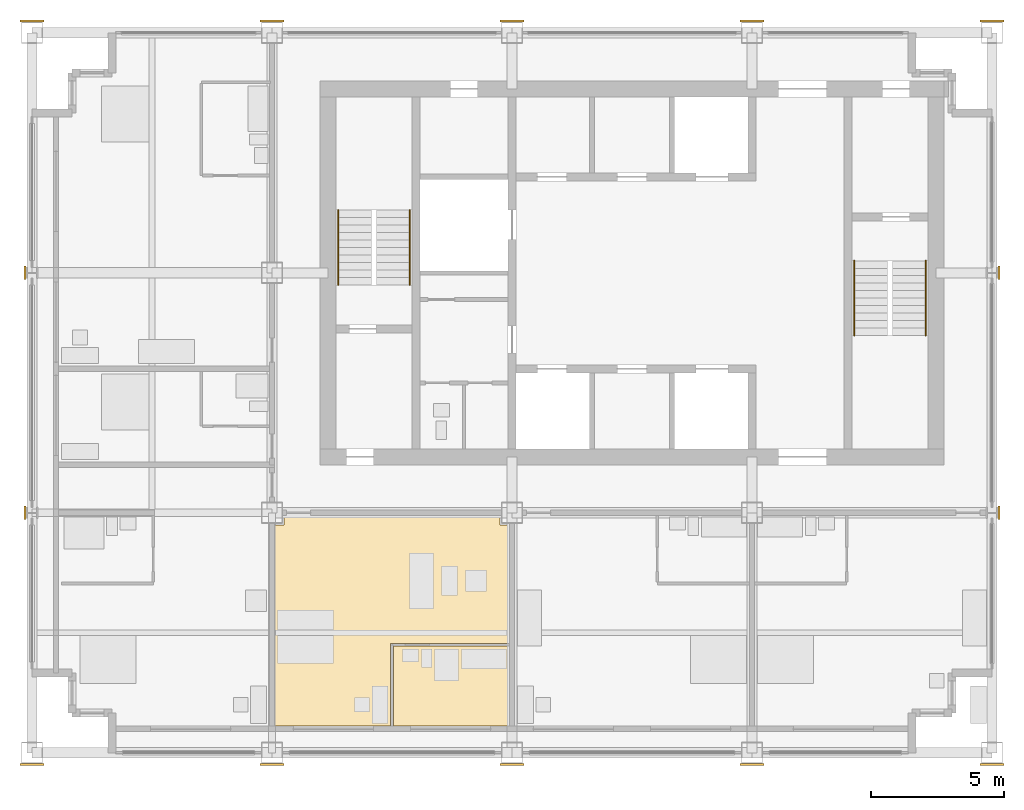
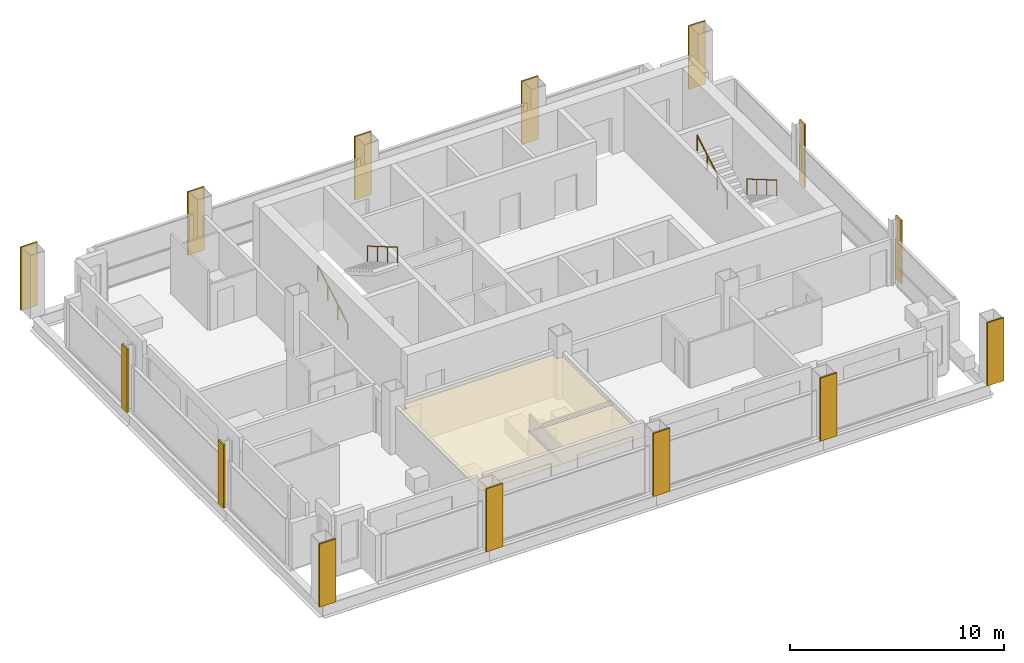
# One storey, part 9 of 11: 16 coverings, 4 railings.
"""IFC4 building model written with IfcOpenShell, lengths in metres."""

from ifc_helpers import new_model, si_unit, direction, frame, origin, origin_2d, place, context, subcontext, project, spatial, polyline, rectangle, circle, outline, extrude, material, layer, layer_set, type_object, element, save


model = new_model("IFC4")

# Units and contexts
model_context = context("Model", 3, precision=1e-05, world=origin(), true_north=direction((0.0, 1.0)))
body_context = subcontext(model_context, "Body", "Model", "MODEL_VIEW")
ifc_project = project(units=[si_unit("LENGTHUNIT", "METRE"), si_unit("AREAUNIT", "SQUARE_METRE"), si_unit("VOLUMEUNIT", "CUBIC_METRE"), si_unit("PLANEANGLEUNIT", "RADIAN"), si_unit("MASSUNIT", "GRAM", prefix="KILO")], contexts=[model_context])

# Site, building, storey
site_placement = place(None, origin())
site = spatial("IfcSite", under=ifc_project, at=site_placement, CompositionType="ELEMENT")
building_placement = place(site_placement, origin())
building = spatial("IfcBuilding", under=site, at=building_placement, Name="Loomwork Tower", CompositionType="ELEMENT")
storey_placement = place(building_placement, frame((0.0, 0.0, 248.199951171875)))
storey = spatial("IfcBuildingStorey", under=building, at=storey_placement, Name="L68", CompositionType="ELEMENT", Elevation=248.199951171875)

# Railings
ifc_material_1 = material(Name="Stainless steel handrail", Category="steel")
railing_type = type_object("IfcRailingType", Name="Handrail 900", PredefinedType="HANDRAIL", material=ifc_material_1)
railing_1_placement = place(storey_placement, frame((11.485107421875, 17.550048828125, 0.16357421875)))
element("IfcRailing", 1, at=railing_1_placement, inside=storey, type_object=railing_type, Name="Stair A handrail flight 1 L68", PredefinedType="HANDRAIL", context=body_context, shape_type="SweptSolid", body=[
    extrude(circle(Radius=0.02392578125, at=origin_2d()), frame((0.0, 0.0, 0.8759765625), z_axis=(0.0, 0.863360870873, 0.504586966384), x_axis=(-1.0, 0.0, 0.0)), (0.0, 0.0, 1.0), 3.2431640625),
    extrude(circle(Radius=0.02099609375, at=origin_2d()), origin(), (0.0, 0.0, 1.0), 0.851806640625),
    extrude(circle(Radius=0.02099609375, at=origin_2d()), frame((0.0, 0.933349609375, 0.54541015625)), (0.0, 0.0, 1.0), 0.851806640625),
    extrude(circle(Radius=0.02099609375, at=origin_2d()), frame((0.0, 1.86669921875, 1.091064453125)), (0.0, 0.0, 1.0), 0.851806640625),
    extrude(circle(Radius=0.02099609375, at=origin_2d()), frame((0.0, 2.800048828125, 1.636474609375)), (0.0, 0.0, 1.0), 0.851806640625),
])
for number, where, name in (
    (2, (14.1650390625, 20.35009765625, 1.963623046875), "Stair A handrail flight 2 L68"),
    (3, (33.514892578125, 18.449951171875, 0.16357421875), "Stair B handrail flight 1 L68"),
):
    element("IfcRailing", number, at=place(storey_placement, frame(where)), inside=storey, type_object=railing_type, Name=name, PredefinedType="HANDRAIL", context=body_context, shape_type="SweptSolid", body=[
        extrude(circle(Radius=0.02392578125, at=origin_2d()), frame((0.0, 0.0, 0.8759765625), z_axis=(0.0, -0.863360870873, 0.504586966384), x_axis=(1.0, 0.0, 0.0)), (0.0, 0.0, 1.0), 3.2431640625),
        extrude(circle(Radius=0.02099609375, at=origin_2d()), origin(), (0.0, 0.0, 1.0), 0.851806640625),
        extrude(circle(Radius=0.02099609375, at=origin_2d()), frame((0.0, -0.933349609375, 0.54541015625)), (0.0, 0.0, 1.0), 0.851806640625),
        extrude(circle(Radius=0.02099609375, at=origin_2d()), frame((0.0, -1.86669921875, 1.091064453125)), (0.0, 0.0, 1.0), 0.851806640625),
        extrude(circle(Radius=0.02099609375, at=origin_2d()), frame((0.0, -2.800048828125, 1.636474609375)), (0.0, 0.0, 1.0), 0.851806640625),
    ])
railing_2_placement = place(storey_placement, frame((30.8349609375, 15.64990234375, 1.963623046875)))
element("IfcRailing", 4, at=railing_2_placement, inside=storey, type_object=railing_type, Name="Stair B handrail flight 2 L68", PredefinedType="HANDRAIL", context=body_context, shape_type="SweptSolid", body=[
    extrude(circle(Radius=0.02392578125, at=origin_2d()), frame((0.0, 0.0, 0.8759765625), z_axis=(0.0, 0.863360870873, 0.504586966384), x_axis=(-1.0, 0.0, 0.0)), (0.0, 0.0, 1.0), 3.2431640625),
    extrude(circle(Radius=0.02099609375, at=origin_2d()), origin(), (0.0, 0.0, 1.0), 0.851806640625),
    extrude(circle(Radius=0.02099609375, at=origin_2d()), frame((0.0, 0.933349609375, 0.54541015625)), (0.0, 0.0, 1.0), 0.851806640625),
    extrude(circle(Radius=0.02099609375, at=origin_2d()), frame((0.0, 1.86669921875, 1.091064453125)), (0.0, 0.0, 1.0), 0.851806640625),
    extrude(circle(Radius=0.02099609375, at=origin_2d()), frame((0.0, 2.800048828125, 1.636474609375)), (0.0, 0.0, 1.0), 0.851806640625),
])

# Coverings
ifc_material_2 = material(Name="Limestone", Category="masonry")
ifc_layer_1 = layer(ifc_material_2, 0.080078125)
ifc_layer_set_1 = layer_set([ifc_layer_1], Name="Limestone pier facing 80")
covering_type_1 = type_object("IfcCoveringType", Name="Limestone pier facing 80", PredefinedType="CLADDING", material=ifc_layer_set_1)
covering_1_placement = place(storey_placement, frame((0.0, -0.43994140625, 0.0), z_axis=(0.0, 0.0, 1.0), x_axis=(1.0, 0.0, 0.0)))
element("IfcCovering", 5, at=covering_1_placement, inside=storey, type_object=covering_type_1, Name="Pier facing D/2 L68", PredefinedType="CLADDING", context=body_context, shape_type="SweptSolid", body=[
    extrude(rectangle(XDim=0.89990234375, YDim=0.080078125, at=origin_2d()), origin(), (0.0, 0.0, 1.0), 3.60009765625),
])
for number, where, z_axis, x_axis, name in (
    (6, (-0.26220703125, 9.0, 0.0), (0.0, 0.0, 1.0), (1.0, 0.0, 0.0), "Pier facing E/2 L68"),
    (7, (-0.26220703125, 18.0, 0.0), (0.0, 0.0, 1.0), (1.0, 0.0, 0.0), "Pier facing F/2 L68"),
):
    element("IfcCovering", number, at=place(storey_placement, frame(where, z_axis=z_axis, x_axis=x_axis)), inside=storey, type_object=covering_type_1, Name=name, PredefinedType="CLADDING", context=body_context, shape_type="SweptSolid", body=[
        extrude(rectangle(XDim=0.080078125, YDim=0.5166015625, at=origin_2d()), origin(), (0.0, 0.0, 1.0), 3.60009765625),
    ])
for number, where, z_axis, x_axis, name in (
    (8, (0.0, 27.43994140625, 0.0), (0.0, 0.0, 1.0), (1.0, 0.0, 0.0), "Pier facing G/2 L68"),
    (9, (9.0, -0.43994140625, 0.0), (0.0, 0.0, 1.0), (1.0, 0.0, 0.0), "Pier facing D/3 L68"),
    (10, (9.0, 27.43994140625, 0.0), (0.0, 0.0, 1.0), (1.0, 0.0, 0.0), "Pier facing G/3 L68"),
    (11, (18.0, -0.43994140625, 0.0), (0.0, 0.0, 1.0), (1.0, 0.0, 0.0), "Pier facing D/4 L68"),
    (12, (18.0, 27.43994140625, 0.0), (0.0, 0.0, 1.0), (1.0, 0.0, 0.0), "Pier facing G/4 L68"),
    (13, (27.0, -0.43994140625, 0.0), (0.0, 0.0, 1.0), (1.0, 0.0, 0.0), "Pier facing D/5 L68"),
    (14, (27.0, 27.43994140625, 0.0), (0.0, 0.0, 1.0), (1.0, 0.0, 0.0), "Pier facing G/5 L68"),
    (15, (36.0, -0.43994140625, 0.0), (0.0, 0.0, 1.0), (1.0, 0.0, 0.0), "Pier facing D/6 L68"),
):
    element("IfcCovering", number, at=place(storey_placement, frame(where, z_axis=z_axis, x_axis=x_axis)), inside=storey, type_object=covering_type_1, Name=name, PredefinedType="CLADDING", context=body_context, shape_type="SweptSolid", body=[
        extrude(rectangle(XDim=0.89990234375, YDim=0.080078125, at=origin_2d()), origin(), (0.0, 0.0, 1.0), 3.60009765625),
    ])
for number, where, z_axis, x_axis, name in (
    (16, (36.26220703125, 9.0, 0.0), (0.0, 0.0, 1.0), (1.0, 0.0, 0.0), "Pier facing E/6 L68"),
    (17, (36.26220703125, 18.0, 0.0), (0.0, 0.0, 1.0), (1.0, 0.0, 0.0), "Pier facing F/6 L68"),
):
    element("IfcCovering", number, at=place(storey_placement, frame(where, z_axis=z_axis, x_axis=x_axis)), inside=storey, type_object=covering_type_1, Name=name, PredefinedType="CLADDING", context=body_context, shape_type="SweptSolid", body=[
        extrude(rectangle(XDim=0.080078125, YDim=0.5166015625, at=origin_2d()), origin(), (0.0, 0.0, 1.0), 3.60009765625),
    ])
covering_2_placement = place(storey_placement, frame((36.0, 27.43994140625, 0.0), z_axis=(0.0, 0.0, 1.0), x_axis=(1.0, 0.0, 0.0)))
element("IfcCovering", 18, at=covering_2_placement, inside=storey, type_object=covering_type_1, Name="Pier facing G/6 L68", PredefinedType="CLADDING", context=body_context, shape_type="SweptSolid", body=[
    extrude(rectangle(XDim=0.89990234375, YDim=0.080078125, at=origin_2d()), origin(), (0.0, 0.0, 1.0), 3.60009765625),
])
ifc_material_3 = material(Name="Mineral fibre acoustic tile on suspension grid")
ifc_layer_2 = layer(ifc_material_3, 0.02490234375)
ifc_layer_set_2 = layer_set([ifc_layer_2], Name="Suspended acoustic ceiling")
covering_type_2 = type_object("IfcCoveringType", Name="Suspended acoustic ceiling", PredefinedType="CEILING", material=ifc_layer_set_2)
covering_3_placement = place(storey_placement, frame((0.0, 0.0, 2.375)))
element("IfcCovering", 19, at=covering_3_placement, inside=storey, type_object=covering_type_2, Name="Ceiling Spa bathroom L68", PredefinedType="CEILING", context=body_context, shape_type="SweptSolid", body=[
    extrude(outline(polyline([(17.89990234375, 4.0), (17.89990234375, 1.0), (13.550048828125, 1.0), (13.550048828125, 4.0), (17.89990234375, 4.0)])), origin(), (0.0, 0.0, 1.0), 0.025146484375),
])
covering_4_placement = place(storey_placement, frame((0.0, 0.0, 2.375)))
element("IfcCovering", 20, at=covering_4_placement, inside=storey, type_object=covering_type_2, Name="Ceiling Spa suite L68", PredefinedType="CEILING", context=body_context, shape_type="SweptSolid", body=[
    extrude(outline(polyline([(17.550048828125, 8.89990234375), (17.550048828125, 8.550048828125), (17.89990234375, 8.550048828125), (17.89990234375, 4.10009765625), (13.449951171875, 4.10009765625), (13.449951171875, 1.0), (9.10009765625, 1.0), (9.10009765625, 8.550048828125), (9.449951171875, 8.550048828125), (9.449951171875, 8.89990234375), (17.550048828125, 8.89990234375)])), origin(), (0.0, 0.0, 1.0), 0.025146484375),
])

save(model, "model.ifc")
